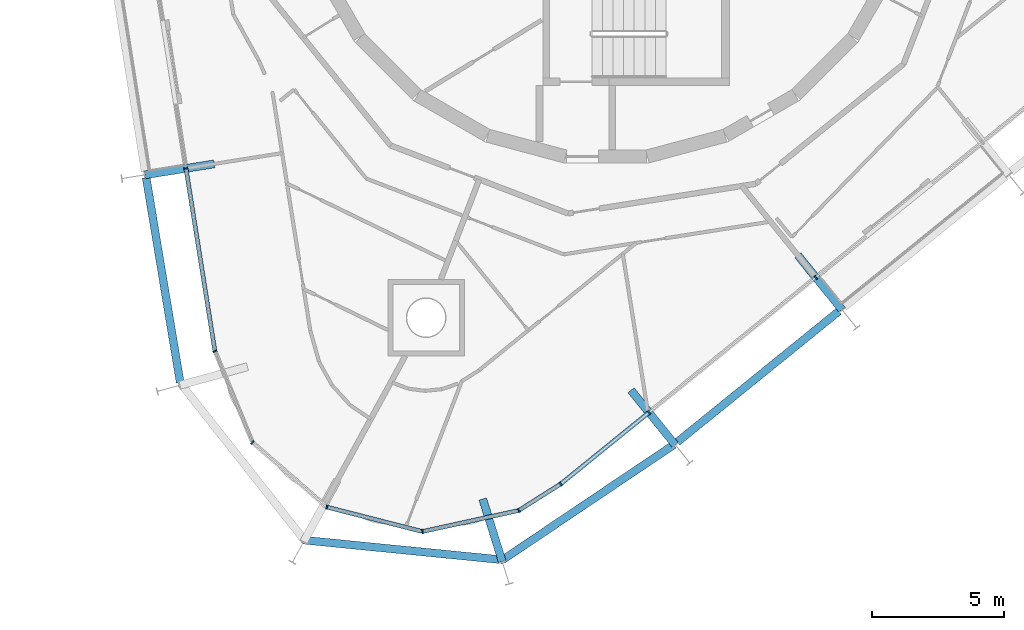
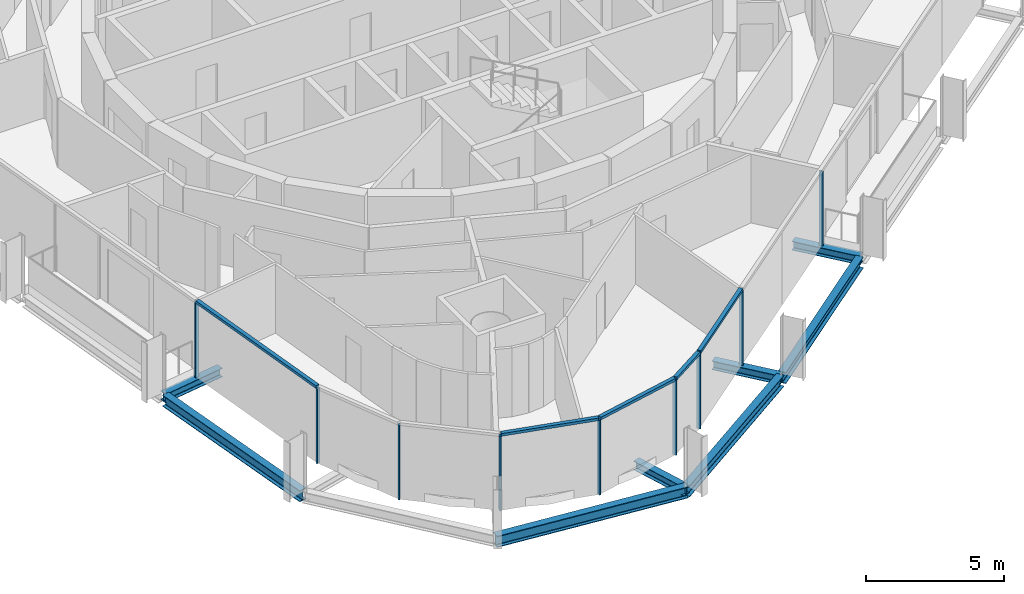
# One storey, part 2 of 17: 14 members, 8 beams, 2 elements without a shape of their own.
"""IFC4 building model written with IfcOpenShell, lengths in metres."""

from ifc_helpers import new_model, si_unit, direction, frame, origin, origin_2d, place, context, subcontext, project, spatial, rectangle, i_section, extrude, material, layer, layer_set, material_profile, profile_set, type_object, element, aggregate, save


model = new_model("IFC4")

# Units and contexts
model_context = context("Model", 3, precision=1e-05, world=origin(), true_north=direction((0.0, 1.0)))
body_context = subcontext(model_context, "Body", "Model", "MODEL_VIEW")
ifc_project = project(units=[si_unit("LENGTHUNIT", "METRE"), si_unit("AREAUNIT", "SQUARE_METRE"), si_unit("VOLUMEUNIT", "CUBIC_METRE"), si_unit("PLANEANGLEUNIT", "RADIAN"), si_unit("MASSUNIT", "GRAM", prefix="KILO")], contexts=[model_context])

# Site, building, storey
site_placement = place(None, origin())
site = spatial("IfcSite", under=ifc_project, at=site_placement, CompositionType="ELEMENT")
building_placement = place(site_placement, origin())
building = spatial("IfcBuilding", under=site, at=building_placement, Name="Spindle Arch Residences", CompositionType="ELEMENT")
storey_placement = place(building_placement, frame((0.0, 0.0, 287.89990234375)))
storey = spatial("IfcBuildingStorey", under=building, at=storey_placement, Name="L74", CompositionType="ELEMENT", Elevation=287.89990234375)

# Curtain wall, members
ifc_material_1 = material(Name="Aluminium bronze unitised frame with tinted glass", Category="aluminium")
ifc_layer_1 = layer(ifc_material_1, 0.159912109375)
ifc_layer_set_1 = layer_set([ifc_layer_1], Name="CW-D corner wall on the fillet arcs")
curtain_wall_type_1 = type_object("IfcCurtainWallType", Name="CW-D corner wall on the fillet arcs", PredefinedType="NOTDEFINED", material=ifc_layer_set_1)
curtain_wall_1_placement = place(storey_placement, origin())
curtain_wall_1 = element("IfcCurtainWall", 1, at=curtain_wall_1_placement, inside=storey, type_object=curtain_wall_type_1, Name="CW-D L74 run 5", PredefinedType="NOTDEFINED")
ifc_material_2 = material(Name="Aluminium bronze anodised mullion", Category="aluminium")
ifc_material_profile_1 = material_profile(ifc_material_2, rectangle(XDim=0.159912109375, YDim=0.06005859375, at=origin_2d()), Name="MU 60x160")
ifc_profile_set_1 = profile_set([ifc_material_profile_1], Name="Aluminium bronze anodised mullion")
member_type_1 = type_object("IfcMemberType", Name="Bronze mullion 60x160", PredefinedType="MULLION", material=ifc_profile_set_1)
member_1_placement = place(storey_placement, frame((-15.880615234375, -12.092041015625, -0.3798828125), z_axis=(0.0, 0.0, 1.0), x_axis=(0.987688340595, 0.15643446504, 0.0)))
member_1 = element("IfcMember", 2, at=member_1_placement, type_object=member_type_1, Name="CW-D mullion 00", PredefinedType="MULLION", context=body_context, shape_type="SweptSolid", body=[
    extrude(rectangle(XDim=0.159912109375, YDim=0.06005859375, at=origin_2d()), origin(), (0.0, 0.0, 1.0), 3.31005859375),
])
member_2_placement = place(storey_placement, frame((-14.787109375, -18.99560546875, -0.3798828125), z_axis=(0.0, 0.0, 1.0), x_axis=(0.92498880334, 0.379994360085, 0.0)))
member_2 = element("IfcMember", 3, at=member_2_placement, type_object=member_type_1, Name="CW-D mullion 01", PredefinedType="MULLION", context=body_context, shape_type="SweptSolid", body=[
    extrude(rectangle(XDim=0.159912109375, YDim=0.06005859375, at=origin_2d()), origin(), (0.0, 0.0, 1.0), 3.31005859375),
])
member_3_placement = place(storey_placement, frame((-13.370849609375, -22.44287109375, -0.3798828125), z_axis=(0.0, 0.0, 1.0), x_axis=(0.656059025711, 0.754709583074, 0.0)))
member_3 = element("IfcMember", 4, at=member_3_placement, type_object=member_type_1, Name="CW-D mullion 02", PredefinedType="MULLION", context=body_context, shape_type="SweptSolid", body=[
    extrude(rectangle(XDim=0.159912109375, YDim=0.06005859375, at=origin_2d()), origin(), (0.0, 0.0, 1.0), 3.31005859375),
])
member_4_placement = place(storey_placement, frame((-10.558349609375, -24.887939453125, -0.3798828125), z_axis=(0.0, 0.0, 1.0), x_axis=(0.247562720743, 0.968871869392, 0.0)))
member_4 = element("IfcMember", 5, at=member_4_placement, type_object=member_type_1, Name="CW-D mullion 03", PredefinedType="MULLION", context=body_context, shape_type="SweptSolid", body=[
    extrude(rectangle(XDim=0.159912109375, YDim=0.06005859375, at=origin_2d()), origin(), (0.0, 0.0, 1.0), 3.31005859375),
])
member_5_placement = place(storey_placement, frame((-6.947509765625, -25.810546875, -0.3798828125), z_axis=(0.0, 0.0, 1.0), x_axis=(-0.213598770213, 0.976921473489, 0.0)))
member_5 = element("IfcMember", 6, at=member_5_placement, type_object=member_type_1, Name="CW-D mullion 04", PredefinedType="MULLION", context=body_context, shape_type="SweptSolid", body=[
    extrude(rectangle(XDim=0.159912109375, YDim=0.06005859375, at=origin_2d()), origin(), (0.0, 0.0, 1.0), 3.31005859375),
])
member_6_placement = place(storey_placement, frame((-3.306884765625, -25.014404296875, -0.3798828125), z_axis=(0.0, 0.0, 1.0), x_axis=(-0.53484401224, 0.844950816658, 0.0)))
member_6 = element("IfcMember", 7, at=member_6_placement, type_object=member_type_1, Name="CW-D mullion 05", PredefinedType="MULLION", context=body_context, shape_type="SweptSolid", body=[
    extrude(rectangle(XDim=0.159912109375, YDim=0.06005859375, at=origin_2d()), origin(), (0.0, 0.0, 1.0), 3.31005859375),
])
member_7_placement = place(storey_placement, frame((-1.7216796875, -24.010986328125, -0.3798828125), z_axis=(0.0, 0.0, 1.0), x_axis=(-0.62932039105, 0.777145961457, 0.0)))
member_7 = element("IfcMember", 8, at=member_7_placement, type_object=member_type_1, Name="CW-D mullion 06", PredefinedType="MULLION", context=body_context, shape_type="SweptSolid", body=[
    extrude(rectangle(XDim=0.159912109375, YDim=0.06005859375, at=origin_2d()), origin(), (0.0, 0.0, 1.0), 3.31005859375),
])

ifc_material_3 = material(Name="Aluminium bronze unitised frame with tinted glass", Category="aluminium")
ifc_layer_2 = layer(ifc_material_3, 0.159912109375)
ifc_layer_set_2 = layer_set([ifc_layer_2], Name="CW-C typical residential unitised wall")
curtain_wall_type_2 = type_object("IfcCurtainWallType", Name="CW-C typical residential unitised wall", PredefinedType="NOTDEFINED", material=ifc_layer_set_2)
curtain_wall_2_placement = place(storey_placement, origin())
curtain_wall_2 = element("IfcCurtainWall", 9, at=curtain_wall_2_placement, inside=storey, type_object=curtain_wall_type_2, Name="CW-C L74 run 6", PredefinedType="NOTDEFINED")
member_8_placement = place(storey_placement, frame((1.610107421875, -21.31298828125, -0.3798828125), z_axis=(0.0, 0.0, 1.0), x_axis=(-0.62932039105, 0.777145961457, 0.0)))
member_8 = element("IfcMember", 10, at=member_8_placement, type_object=member_type_1, Name="CW-C mullion 18", PredefinedType="MULLION", context=body_context, shape_type="SweptSolid", body=[
    extrude(rectangle(XDim=0.159912109375, YDim=0.06005859375, at=origin_2d()), origin(), (0.0, 0.0, 1.0), 3.31005859375),
])
member_9_placement = place(storey_placement, frame((7.910888671875, -16.210693359375, -0.3798828125), z_axis=(0.0, 0.0, 1.0), x_axis=(-0.62932039105, 0.777145961457, 0.0)))
member_9 = element("IfcMember", 11, at=member_9_placement, type_object=member_type_1, Name="CW-C mullion 19", PredefinedType="MULLION", context=body_context, shape_type="SweptSolid", body=[
    extrude(rectangle(XDim=0.159912109375, YDim=0.06005859375, at=origin_2d()), origin(), (0.0, 0.0, 1.0), 3.31005859375),
])
aggregate(curtain_wall_2, [member_8, member_9])

# Member
ifc_material_4 = material(Name="Aluminium bronze anodised transom", Category="aluminium")
ifc_material_profile_2 = material_profile(ifc_material_4, rectangle(XDim=0.159912109375, YDim=0.1201171875, at=origin_2d()), Name="TR 120x160")
ifc_profile_set_2 = profile_set([ifc_material_profile_2], Name="Aluminium bronze anodised transom")
member_type_2 = type_object("IfcMemberType", Name="Bronze transom 120x160", PredefinedType="USERDEFINED", material=ifc_profile_set_2)
member_10_placement = place(storey_placement, frame((-15.875732421875, -12.12158203125, 2.989990234375), z_axis=(0.156423886955, -0.987690015941, 0.0), x_axis=(0.987690015941, 0.156423886955, 0.0)))
member_10 = element("IfcMember", 12, at=member_10_placement, type_object=member_type_2, Name="CW-D transom 00", ObjectType="TRANSOM", PredefinedType="USERDEFINED", context=body_context, shape_type="SweptSolid", body=[
    extrude(rectangle(XDim=0.159912109375, YDim=0.1201171875, at=origin_2d()), origin(), (0.0, 0.0, 1.0), 6.9296875),
])

member_11_placement = place(storey_placement, frame((-10.529296875, -24.895263671875, 2.989990234375), z_axis=(0.968876271824, -0.247545490561, 0.0), x_axis=(0.247545490561, 0.968876271824, 0.0)))
member_11 = element("IfcMember", 13, at=member_11_placement, type_object=member_type_2, Name="CW-D transom 03", ObjectType="TRANSOM", PredefinedType="USERDEFINED", context=body_context, shape_type="SweptSolid", body=[
    extrude(rectangle(XDim=0.159912109375, YDim=0.1201171875, at=origin_2d()), origin(), (0.0, 0.0, 1.0), 3.666748046875),
])

member_12_placement = place(storey_placement, frame((-6.918212890625, -25.803955078125, 2.989990234375), z_axis=(0.976920862917, 0.213601562721, 0.0), x_axis=(-0.213601562721, 0.976920862917, 0.0)))
member_12 = element("IfcMember", 14, at=member_12_placement, type_object=member_type_2, Name="CW-D transom 04", ObjectType="TRANSOM", PredefinedType="USERDEFINED", context=body_context, shape_type="SweptSolid", body=[
    extrude(rectangle(XDim=0.159912109375, YDim=0.1201171875, at=origin_2d()), origin(), (0.0, 0.0, 1.0), 3.666748046875),
])

member_13_placement = place(storey_placement, frame((-3.281494140625, -24.998291015625, 2.989990234375), z_axis=(0.844970968959, 0.534812174148, 0.0), x_axis=(-0.534812174148, 0.844970968959, 0.0)))
member_13 = element("IfcMember", 15, at=member_13_placement, type_object=member_type_2, Name="CW-D transom 05", ObjectType="TRANSOM", PredefinedType="USERDEFINED", context=body_context, shape_type="SweptSolid", body=[
    extrude(rectangle(XDim=0.159912109375, YDim=0.1201171875, at=origin_2d()), origin(), (0.0, 0.0, 1.0), 1.81591796875),
])

member_14_placement = place(storey_placement, frame((-1.6982421875, -23.9921875, 2.989990234375), z_axis=(0.777130537676, 0.629339437356, 0.0), x_axis=(-0.629339437356, 0.777130537676, 0.0)))
member_14 = element("IfcMember", 16, at=member_14_placement, type_object=member_type_2, Name="CW-D transom 06", ObjectType="TRANSOM", PredefinedType="USERDEFINED", context=body_context, shape_type="SweptSolid", body=[
    extrude(rectangle(XDim=0.159912109375, YDim=0.1201171875, at=origin_2d()), origin(), (0.0, 0.0, 1.0), 4.227294921875),
])

aggregate(curtain_wall_1, [member_1, member_10, member_2, member_3, member_4, member_11, member_5, member_12, member_6, member_13, member_7, member_14])

# Beams
ifc_material_5 = material(Name="Steel S460ML, intumescent coating R 120", Category="steel")
ifc_material_profile_3 = material_profile(ifc_material_5, i_section(OverallWidth=0.300048828125, OverallDepth=0.5, WebThickness=0.014404296875, FlangeThickness=0.028076171875, FilletRadius=0.027099609375, at=origin_2d()), Name="HEB 500")
ifc_profile_set_3 = profile_set([ifc_material_profile_3], Name="Steel S460ML, intumescent coating R 120")
beam_type_1 = type_object("IfcBeamType", Name="Exoskeleton edge beam HEB 500", PredefinedType="BEAM", material=ifc_profile_set_3)
beam_1_placement = place(storey_placement, frame((-17.385009765625, -12.43505859375, -0.6298828125), z_axis=(0.16393470778, -0.986471191462, 0.0), x_axis=(0.986471191462, 0.16393470778, 0.0)))
element("IfcBeam", 17, at=beam_1_placement, inside=storey, type_object=beam_type_1, Name="Exoskeleton edge beam 15", PredefinedType="BEAM", context=body_context, shape_type="SweptSolid", body=[
    extrude(i_section(OverallWidth=0.300048828125, OverallDepth=0.5, WebThickness=0.014404296875, FlangeThickness=0.028076171875, FilletRadius=0.027099609375, at=origin_2d()), origin(), (0.0, 0.0, 1.0), 7.845458984375),
])
beam_2_placement = place(storey_placement, frame((-11.474609375, -26.12890625, -0.6298828125), z_axis=(0.99510851629, -0.098787857593, 0.0), x_axis=(0.098787857593, 0.99510851629, 0.0)))
element("IfcBeam", 18, at=beam_2_placement, inside=storey, type_object=beam_type_1, Name="Exoskeleton edge beam 17", PredefinedType="BEAM", context=body_context, shape_type="SweptSolid", body=[
    extrude(i_section(OverallWidth=0.300048828125, OverallDepth=0.5, WebThickness=0.014404296875, FlangeThickness=0.028076171875, FilletRadius=0.027099609375, at=origin_2d()), origin(), (0.0, 0.0, 1.0), 7.631591796875),
])
beam_3_placement = place(storey_placement, frame((-3.9169921875, -26.877685546875, -0.6298828125), z_axis=(0.829907876947, 0.557900453291, 0.0), x_axis=(-0.557900453291, 0.829907876947, 0.0)))
element("IfcBeam", 19, at=beam_3_placement, inside=storey, type_object=beam_type_1, Name="Exoskeleton edge beam 18", PredefinedType="BEAM", context=body_context, shape_type="SweptSolid", body=[
    extrude(i_section(OverallWidth=0.300048828125, OverallDepth=0.5, WebThickness=0.014404296875, FlangeThickness=0.028076171875, FilletRadius=0.027099609375, at=origin_2d()), origin(), (0.0, 0.0, 1.0), 7.7890625),
])
beam_4_placement = place(storey_placement, frame((2.680419921875, -22.427978515625, -0.6298828125), z_axis=(0.777152125993, 0.629312778406, 0.0), x_axis=(-0.629312778406, 0.777152125993, 0.0)))
element("IfcBeam", 20, at=beam_4_placement, inside=storey, type_object=beam_type_1, Name="Exoskeleton edge beam 19", PredefinedType="BEAM", context=body_context, shape_type="SweptSolid", body=[
    extrude(i_section(OverallWidth=0.300048828125, OverallDepth=0.5, WebThickness=0.014404296875, FlangeThickness=0.028076171875, FilletRadius=0.027099609375, at=origin_2d()), origin(), (0.0, 0.0, 1.0), 7.847412109375),
])
ifc_material_6 = material(Name="Steel S460ML, intumescent coating R 120", Category="steel")
ifc_material_profile_4 = material_profile(ifc_material_6, i_section(OverallWidth=0.300048828125, OverallDepth=0.389892578125, WebThickness=0.010986328125, FlangeThickness=0.01904296875, FilletRadius=0.027099609375, at=origin_2d()), Name="HEA 400")
ifc_profile_set_4 = profile_set([ifc_material_profile_4], Name="Steel S460ML, intumescent coating R 120")
beam_type_2 = type_object("IfcBeamType", Name="Floor outrigger HEA 400", PredefinedType="BEAM", material=ifc_profile_set_4)
beam_5_placement = place(storey_placement, frame((-17.43115234375, -12.337646484375, -0.574951171875), z_axis=(0.987688904051, 0.156430907479, 0.0), x_axis=(-0.156430907479, 0.987688904051, 0.0)))
element("IfcBeam", 21, at=beam_5_placement, inside=storey, type_object=beam_type_2, Name="Floor outrigger 15", PredefinedType="BEAM", context=body_context, shape_type="SweptSolid", body=[
    extrude(i_section(OverallWidth=0.300048828125, OverallDepth=0.389892578125, WebThickness=0.010986328125, FlangeThickness=0.01904296875, FilletRadius=0.027099609375, at=origin_2d()), origin(), (0.0, 0.0, 1.0), 2.650146484375),
])
beam_6_placement = place(storey_placement, frame((-3.932373046875, -26.943603515625, -0.574951171875), z_axis=(-0.297848736129, 0.954613078889, 0.0), x_axis=(-0.954613078889, -0.297848736129, 0.0)))
element("IfcBeam", 22, at=beam_6_placement, inside=storey, type_object=beam_type_2, Name="Floor outrigger 18", PredefinedType="BEAM", context=body_context, shape_type="SweptSolid", body=[
    extrude(i_section(OverallWidth=0.300048828125, OverallDepth=0.389892578125, WebThickness=0.010986328125, FlangeThickness=0.01904296875, FilletRadius=0.027099609375, at=origin_2d()), origin(), (0.0, 0.0, 1.0), 2.478759765625),
])
for number, where, z_axis, x_axis, name in (
    (23, (2.59814453125, -22.533203125, -0.574951171875), (-0.629301579077, 0.777161194715, 0.0), (-0.777161194715, -0.629301579077, 0.0), "Floor outrigger 19"),
    (24, (8.89892578125, -17.430908203125, -0.574951171875), (-0.629301579077, 0.777161194715, 0.0), (-0.777161194715, -0.629301579077, 0.0), "Floor outrigger 20"),
):
    element("IfcBeam", number, at=place(storey_placement, frame(where, z_axis=z_axis, x_axis=x_axis)), inside=storey, type_object=beam_type_2, Name=name, PredefinedType="BEAM", context=body_context, shape_type="SweptSolid", body=[
        extrude(i_section(OverallWidth=0.300048828125, OverallDepth=0.389892578125, WebThickness=0.010986328125, FlangeThickness=0.01904296875, FilletRadius=0.027099609375, at=origin_2d()), origin(), (0.0, 0.0, 1.0), 2.650146484375),
    ])

save(model, "model.ifc")
